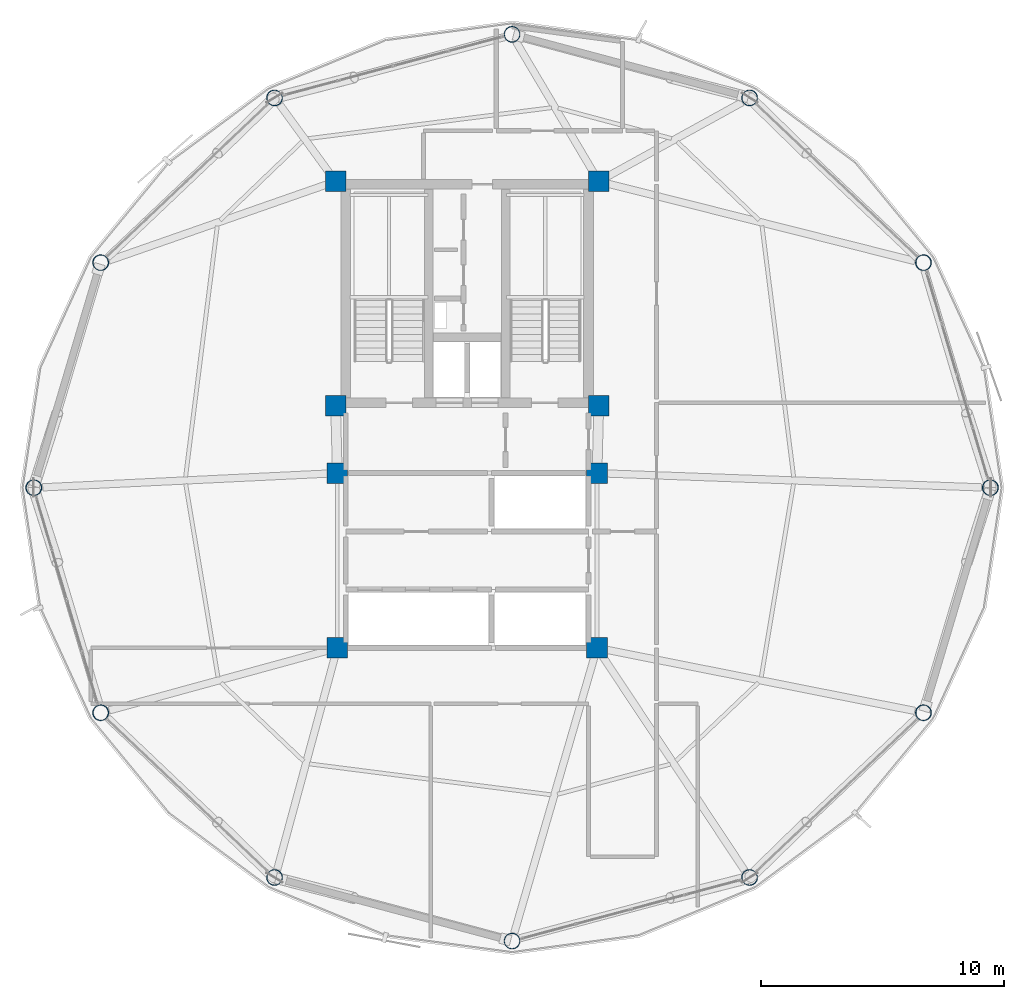
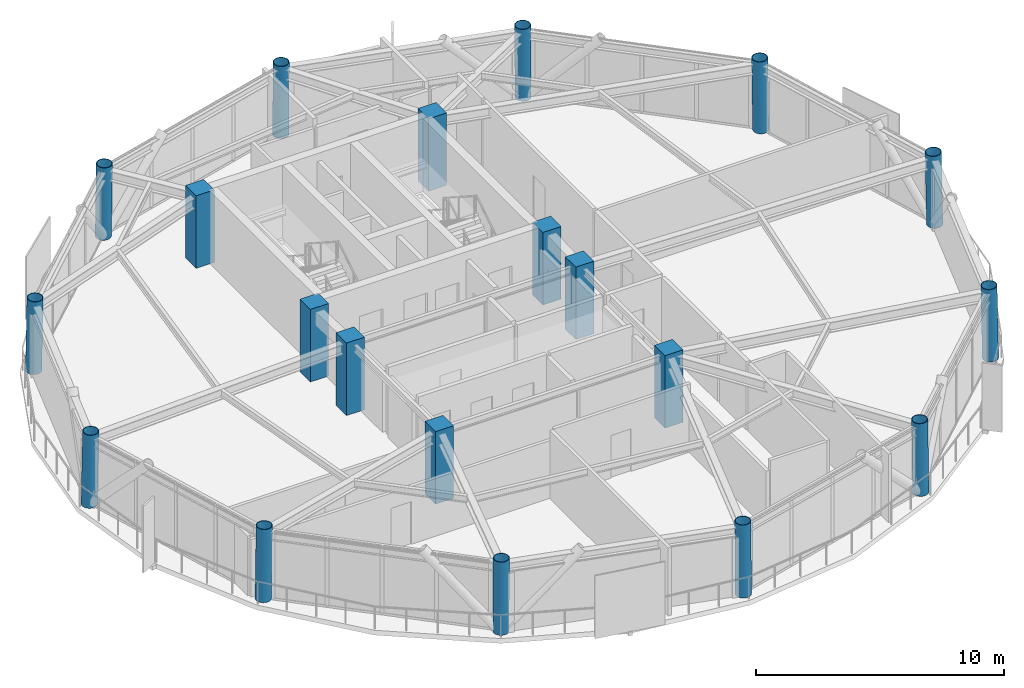
# One storey, part 1 of 29: 20 columns.
"""IFC4 building model written with IfcOpenShell, lengths in metres."""

from ifc_helpers import new_model, si_unit, direction, frame, origin, origin_2d, place, context, subcontext, project, spatial, rectangle, hollow_circle, extrude, material, material_profile, profile_set, type_object, element, save


model = new_model("IFC4")

# Units and contexts
model_context = context("Model", 3, precision=1e-05, world=origin(), true_north=direction((0.0, 1.0)))
body_context = subcontext(model_context, "Body", "Model", "MODEL_VIEW")
ifc_project = project(units=[si_unit("LENGTHUNIT", "METRE"), si_unit("AREAUNIT", "SQUARE_METRE"), si_unit("VOLUMEUNIT", "CUBIC_METRE"), si_unit("PLANEANGLEUNIT", "RADIAN"), si_unit("MASSUNIT", "GRAM", prefix="KILO")], contexts=[model_context])

# Site, building, storey
site_placement = place(None, origin())
site = spatial("IfcSite", under=ifc_project, at=site_placement, CompositionType="ELEMENT")
building_placement = place(site_placement, origin())
building = spatial("IfcBuilding", under=site, at=building_placement, Name="Varnakorn Sky Granary", CompositionType="ELEMENT")
storey_placement = place(building_placement, frame((0.0, 0.0, 182.39990234375)))
storey = spatial("IfcBuildingStorey", under=building, at=storey_placement, Name="L45", CompositionType="ELEMENT", Elevation=182.39990234375)

# Columns
ifc_material_1 = material(Name="Steel S460M", Category="steel")
ifc_material_profile_1 = material_profile(ifc_material_1, hollow_circle(Radius=0.330078125, WallThickness=0.02490234375, at=origin_2d()), Name="CHS 660x25")
ifc_profile_set_1 = profile_set([ifc_material_profile_1], Name="Steel S460M")
column_type_1 = type_object("IfcColumnType", Name="COL-DC-Z4", PredefinedType="COLUMN", material=ifc_profile_set_1)
column_1_placement = place(storey_placement, frame((24.56494140625, 0.0, 0.0), z_axis=(-0.018980464328, 0.0, 0.999819854761), x_axis=(0.0, -1.0, 0.0)))
element("IfcColumn", 1, at=column_1_placement, inside=storey, type_object=column_type_1, Name="Drum Perimeter Column DC01 L45", PredefinedType="COLUMN", context=body_context, shape_type="SweptSolid", body=[
    extrude(hollow_circle(Radius=0.330078125, WallThickness=0.02490234375, at=origin_2d()), origin(), (0.0, 0.0, 1.0), 3.575927734375),
])
column_2_placement = place(storey_placement, frame((21.806884765625, 9.2734375, 0.0), z_axis=(-0.016523100058, -0.004711131835, 0.999852385306), x_axis=(0.274196237732, -0.961673761321, 0.0)))
element("IfcColumn", 2, at=column_2_placement, inside=storey, type_object=column_type_1, Name="Drum Perimeter Column DC02 L45", PredefinedType="COLUMN", context=body_context, shape_type="SweptSolid", body=[
    extrude(hollow_circle(Radius=0.330078125, WallThickness=0.02490234375, at=origin_2d()), origin(), (0.0, 0.0, 1.0), 3.57568359375),
])
for number, where, z_axis, x_axis, name in (
    (3, (14.639892578125, 16.062255859375, 0.0), (-0.009491190561, -0.008262115524, 0.99992082424), (0.656581650754, -0.754254954172, 0.0), "Drum Perimeter Column DC03 L45"),
    (4, (4.85009765625, 18.681884765625, 0.0), (0.0, -0.009491514524, 0.999954954561), (1.0, 0.0, 0.0), "Drum Perimeter Column DC04 L45"),
    (5, (-4.93994140625, 16.062255859375, 0.0), (0.009491190561, -0.008262115524, 0.99992082424), (0.656581650754, 0.754254954172, 0.0), "Drum Perimeter Column DC05 L45"),
):
    element("IfcColumn", number, at=place(storey_placement, frame(where, z_axis=z_axis, x_axis=x_axis)), inside=storey, type_object=column_type_1, Name=name, PredefinedType="COLUMN", context=body_context, shape_type="SweptSolid", body=[
        extrude(hollow_circle(Radius=0.330078125, WallThickness=0.02490234375, at=origin_2d()), origin(), (0.0, 0.0, 1.0), 3.575439453125),
    ])
column_3_placement = place(storey_placement, frame((-12.106689453125, 9.2734375, 0.0), z_axis=(0.01645484131, -0.004711137139, 0.999853510963), x_axis=(0.275247949014, 0.961373271193, 0.0)))
element("IfcColumn", 6, at=column_3_placement, inside=storey, type_object=column_type_1, Name="Drum Perimeter Column DC06 L45", PredefinedType="COLUMN", context=body_context, shape_type="SweptSolid", body=[
    extrude(hollow_circle(Radius=0.330078125, WallThickness=0.02490234375, at=origin_2d()), origin(), (0.0, 0.0, 1.0), 3.57568359375),
])
column_4_placement = place(storey_placement, frame((-14.864990234375, 0.0, 0.0), z_axis=(0.018980464328, 0.0, 0.999819854761), x_axis=(0.0, 1.0, 0.0)))
element("IfcColumn", 7, at=column_4_placement, inside=storey, type_object=column_type_1, Name="Drum Perimeter Column DC07 L45", PredefinedType="COLUMN", context=body_context, shape_type="SweptSolid", body=[
    extrude(hollow_circle(Radius=0.330078125, WallThickness=0.02490234375, at=origin_2d()), origin(), (0.0, 0.0, 1.0), 3.575927734375),
])
column_5_placement = place(storey_placement, frame((-12.106689453125, -9.2734375, 0.0), z_axis=(0.01645484131, 0.004711137139, 0.999853510963), x_axis=(-0.275247949014, 0.961373271193, 0.0)))
element("IfcColumn", 8, at=column_5_placement, inside=storey, type_object=column_type_1, Name="Drum Perimeter Column DC08 L45", PredefinedType="COLUMN", context=body_context, shape_type="SweptSolid", body=[
    extrude(hollow_circle(Radius=0.330078125, WallThickness=0.02490234375, at=origin_2d()), origin(), (0.0, 0.0, 1.0), 3.57568359375),
])
for number, where, z_axis, x_axis, name in (
    (9, (-4.93994140625, -16.062255859375, 0.0), (0.009491190561, 0.008262115524, 0.99992082424), (-0.656581650754, 0.754254954172, 0.0), "Drum Perimeter Column DC09 L45"),
    (10, (4.85009765625, -18.681884765625, 0.0), (0.0, 0.009491514524, 0.999954954561), (-1.0, 0.0, 0.0), "Drum Perimeter Column DC10 L45"),
    (11, (14.639892578125, -16.062255859375, 0.0), (-0.009491190561, 0.008262115524, 0.99992082424), (-0.656581650754, -0.754254954172, 0.0), "Drum Perimeter Column DC11 L45"),
):
    element("IfcColumn", number, at=place(storey_placement, frame(where, z_axis=z_axis, x_axis=x_axis)), inside=storey, type_object=column_type_1, Name=name, PredefinedType="COLUMN", context=body_context, shape_type="SweptSolid", body=[
        extrude(hollow_circle(Radius=0.330078125, WallThickness=0.02490234375, at=origin_2d()), origin(), (0.0, 0.0, 1.0), 3.575439453125),
    ])
column_6_placement = place(storey_placement, frame((21.806884765625, -9.2734375, 0.0), z_axis=(-0.016523100058, 0.004711131835, 0.999852385306), x_axis=(-0.274196237732, -0.961673761321, 0.0)))
element("IfcColumn", 12, at=column_6_placement, inside=storey, type_object=column_type_1, Name="Drum Perimeter Column DC12 L45", PredefinedType="COLUMN", context=body_context, shape_type="SweptSolid", body=[
    extrude(hollow_circle(Radius=0.330078125, WallThickness=0.02490234375, at=origin_2d()), origin(), (0.0, 0.0, 1.0), 3.57568359375),
])
ifc_material_2 = material(Name="Concrete C50/60", Category="concrete")
ifc_material_profile_2 = material_profile(ifc_material_2, rectangle(XDim=0.85009765625, YDim=0.85009765625, at=origin_2d()), Name="RC 850x850")
ifc_profile_set_2 = profile_set([ifc_material_profile_2], Name="Concrete C50/60")
column_type_2 = type_object("IfcColumnType", Name="COL-MC-Z4", PredefinedType="COLUMN", material=ifc_profile_set_2)
for number, where, z_axis, x_axis, name in (
    (13, (-2.419921875, 12.6201171875, 0.0), (0.0, 0.0, 1.0), (1.0, 0.0, 0.0), "Backbone Mega-Column MC1 L45"),
    (14, (8.419921875, 12.6201171875, 0.0), (0.0, 0.0, 1.0), (1.0, 0.0, 0.0), "Backbone Mega-Column MC2 L45"),
    (15, (-2.419921875, 3.3798828125, 0.0), (0.0, 0.0, 1.0), (1.0, 0.0, 0.0), "Backbone Mega-Column MC3 L45"),
    (16, (8.419921875, 3.3798828125, 0.0), (0.0, 0.0, 1.0), (1.0, 0.0, 0.0), "Backbone Mega-Column MC4 L45"),
    (17, (-2.35009765625, 0.60009765625, 0.0), (0.0, 0.0, 1.0), (1.0, 0.0, 0.0), "Backbone Mega-Column MC5 L45"),
    (18, (8.35009765625, 0.60009765625, 0.0), (0.0, 0.0, 1.0), (1.0, 0.0, 0.0), "Backbone Mega-Column MC6 L45"),
    (19, (-2.35009765625, -6.60009765625, 0.0), (0.0, 0.0, 1.0), (1.0, 0.0, 0.0), "Backbone Mega-Column MC7 L45"),
    (20, (8.35009765625, -6.60009765625, 0.0), (0.0, 0.0, 1.0), (1.0, 0.0, 0.0), "Backbone Mega-Column MC8 L45"),
):
    element("IfcColumn", number, at=place(storey_placement, frame(where, z_axis=z_axis, x_axis=x_axis)), inside=storey, type_object=column_type_2, Name=name, PredefinedType="COLUMN", context=body_context, shape_type="SweptSolid", body=[
        extrude(rectangle(XDim=0.85009765625, YDim=0.85009765625, at=origin_2d()), origin(), (0.0, 0.0, 1.0), 3.5751953125),
    ])

save(model, "model.ifc")
